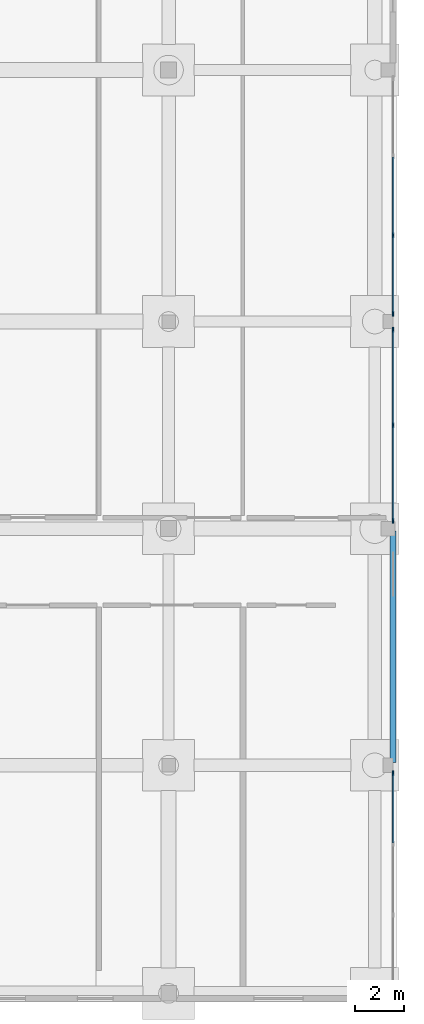
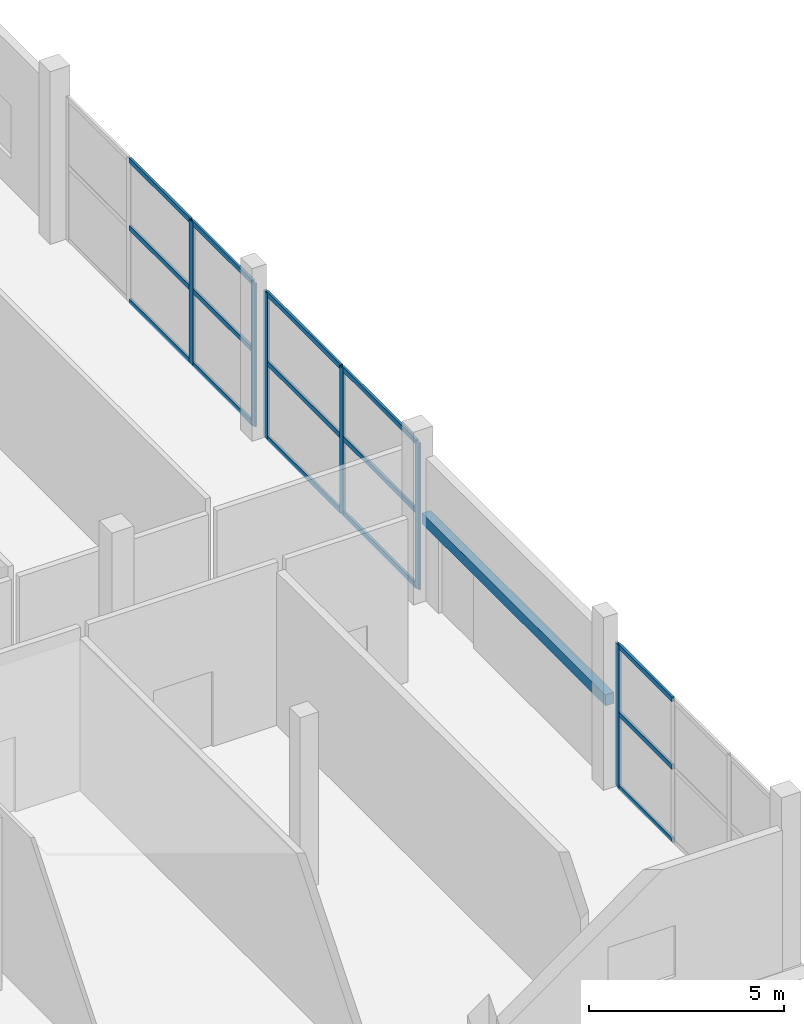
# One storey, part 46 of 88: 21 members, 1 beam, 3 elements without a shape of their own.
"""IFC4 building model written with IfcOpenShell, lengths in metres."""

from ifc_helpers import new_model, si_unit, direction, frame, origin, origin_2d, place, context, subcontext, project, spatial, rectangle, extrude, material, layer, layer_set, material_profile, profile_set, type_object, element, aggregate, save


model = new_model("IFC4")

# Units and contexts
model_context = context("Model", 3, precision=1e-05, world=origin(), true_north=direction((0.0, 1.0)))
body_context = subcontext(model_context, "Body", "Model", "MODEL_VIEW")
ifc_project = project(units=[si_unit("LENGTHUNIT", "METRE"), si_unit("AREAUNIT", "SQUARE_METRE"), si_unit("VOLUMEUNIT", "CUBIC_METRE"), si_unit("PLANEANGLEUNIT", "RADIAN"), si_unit("MASSUNIT", "GRAM", prefix="KILO")], contexts=[model_context])

# Site, building, storey
site_placement = place(None, origin())
site = spatial("IfcSite", under=ifc_project, at=site_placement, CompositionType="ELEMENT")
building_placement = place(site_placement, origin())
building = spatial("IfcBuilding", under=site, at=building_placement, Name="Birchvale Park Specialist Clinic", CompositionType="ELEMENT")
storey_placement = place(building_placement, origin())
storey = spatial("IfcBuildingStorey", under=building, at=storey_placement, Name="L00", CompositionType="ELEMENT", Elevation=0.0)

# Curtain wall, member
ifc_material_1 = material(Name="Thermally broken anodised aluminium", Category="aluminium")
ifc_layer = layer(ifc_material_1, 0.2099609375)
ifc_layer_set = layer_set([ifc_layer], Name="Thermally broken anodised aluminium")
curtain_wall_type = type_object("IfcCurtainWallType", Name="CW-U3", PredefinedType="USERDEFINED", material=ifc_layer_set)
curtain_wall_1_placement = place(storey_placement, origin())
curtain_wall_1 = element("IfcCurtainWall", 1, at=curtain_wall_1_placement, inside=storey, type_object=curtain_wall_type, Name="V6 L00 glazed curtain wall 61", ObjectType="UNITISED", PredefinedType="USERDEFINED")
ifc_material_profile_1 = material_profile(ifc_material_1, rectangle(XDim=0.070068359375, YDim=0.199951171875, at=origin_2d()), Name="CWM-70x200")
ifc_profile_set_1 = profile_set([ifc_material_profile_1], Name="Thermally broken anodised aluminium")
member_type_1 = type_object("IfcMemberType", Name="CWM3", PredefinedType="MULLION", material=ifc_profile_set_1)
member_1_placement = place(storey_placement, frame((164.905029296875, 72.875, 0.0), z_axis=(0.0, 0.0, 1.0), x_axis=(-1.0, 0.0, 0.0)))
member_1 = element("IfcMember", 2, at=member_1_placement, type_object=member_type_1, Name="CW mullion 4", PredefinedType="MULLION", context=body_context, shape_type="SweptSolid", body=[
    extrude(rectangle(XDim=0.070068359375, YDim=0.199951171875, at=origin_2d()), origin(), (0.0, 0.0, 1.0), 4.469970703125),
])

# Curtain wall, members
curtain_wall_2_placement = place(storey_placement, origin())
curtain_wall_2 = element("IfcCurtainWall", 3, at=curtain_wall_2_placement, inside=storey, type_object=curtain_wall_type, Name="V6 L00 glazed curtain wall 62", ObjectType="UNITISED", PredefinedType="USERDEFINED")
member_2_placement = place(storey_placement, frame((164.905029296875, 83.125, 0.0), z_axis=(0.0, 0.0, 1.0), x_axis=(-1.0, 0.0, 0.0)))
member_2 = element("IfcMember", 4, at=member_2_placement, type_object=member_type_1, Name="CW mullion 1", PredefinedType="MULLION", context=body_context, shape_type="SweptSolid", body=[
    extrude(rectangle(XDim=0.070068359375, YDim=0.199951171875, at=origin_2d()), origin(), (0.0, 0.0, 1.0), 4.570068359375),
])
member_3_placement = place(storey_placement, frame((164.905029296875, 87.0, 0.0), z_axis=(0.0, 0.0, 1.0), x_axis=(-1.0, 0.0, 0.0)))
member_3 = element("IfcMember", 5, at=member_3_placement, type_object=member_type_1, Name="CW mullion 2", PredefinedType="MULLION", context=body_context, shape_type="SweptSolid", body=[
    extrude(rectangle(XDim=0.070068359375, YDim=0.199951171875, at=origin_2d()), origin(), (0.0, 0.0, 1.0), 4.570068359375),
])
member_4_placement = place(storey_placement, frame((164.905029296875, 90.875, 0.0), z_axis=(0.0, 0.0, 1.0), x_axis=(-1.0, 0.0, 0.0)))
member_4 = element("IfcMember", 6, at=member_4_placement, type_object=member_type_1, Name="CW mullion 3", PredefinedType="MULLION", context=body_context, shape_type="SweptSolid", body=[
    extrude(rectangle(XDim=0.070068359375, YDim=0.199951171875, at=origin_2d()), origin(), (0.0, 0.0, 1.0), 4.570068359375),
])

curtain_wall_3_placement = place(storey_placement, origin())
curtain_wall_3 = element("IfcCurtainWall", 7, at=curtain_wall_3_placement, inside=storey, type_object=curtain_wall_type, Name="V6 L00 glazed curtain wall 63", ObjectType="UNITISED", PredefinedType="USERDEFINED")
member_5_placement = place(storey_placement, frame((164.905029296875, 91.52490234375, 0.0), z_axis=(0.0, 0.0, 1.0), x_axis=(-1.0, 0.0, 0.0)))
member_5 = element("IfcMember", 8, at=member_5_placement, type_object=member_type_1, Name="CW mullion 1", PredefinedType="MULLION", context=body_context, shape_type="SweptSolid", body=[
    extrude(rectangle(XDim=0.070068359375, YDim=0.199951171875, at=origin_2d()), origin(), (0.0, 0.0, 1.0), 4.469970703125),
])
member_6_placement = place(storey_placement, frame((164.905029296875, 94.69677734375, 0.0), z_axis=(0.0, 0.0, 1.0), x_axis=(-1.0, 0.0, 0.0)))
member_6 = element("IfcMember", 9, at=member_6_placement, type_object=member_type_1, Name="CW mullion 2", PredefinedType="MULLION", context=body_context, shape_type="SweptSolid", body=[
    extrude(rectangle(XDim=0.070068359375, YDim=0.199951171875, at=origin_2d()), origin(), (0.0, 0.0, 1.0), 4.469970703125),
])

# Member
ifc_material_profile_2 = material_profile(ifc_material_1, rectangle(XDim=0.070068359375, YDim=0.14990234375, at=origin_2d()), Name="CWT-70x150")
ifc_profile_set_2 = profile_set([ifc_material_profile_2], Name="Thermally broken anodised aluminium")
member_type_2 = type_object("IfcMemberType", Name="CWT3", PredefinedType="USERDEFINED", material=ifc_profile_set_2)
member_7_placement = place(storey_placement, frame((164.905029296875, 70.054931640625, 0.034912109375), z_axis=(0.0, 1.0, 0.0), x_axis=(-1.0, 0.0, 0.0)))
member_7 = element("IfcMember", 10, at=member_7_placement, type_object=member_type_2, Name="CW transom 3.1", ObjectType="TRANSOM", PredefinedType="USERDEFINED", context=body_context, shape_type="SweptSolid", body=[
    extrude(rectangle(XDim=0.070068359375, YDim=0.14990234375, at=origin_2d()), origin(), (0.0, 0.0, 1.0), 2.78515625),
])

member_8_placement = place(storey_placement, frame((164.905029296875, 70.054931640625, 2.324462890625), z_axis=(0.0, 1.0, 0.0), x_axis=(-1.0, 0.0, 0.0)))
member_8 = element("IfcMember", 11, at=member_8_placement, type_object=member_type_2, Name="CW transom 3.2", ObjectType="TRANSOM", PredefinedType="USERDEFINED", context=body_context, shape_type="SweptSolid", body=[
    extrude(rectangle(XDim=0.070068359375, YDim=0.14990234375, at=origin_2d()), origin(), (0.0, 0.0, 1.0), 2.78515625),
])

member_9_placement = place(storey_placement, frame((164.905029296875, 70.054931640625, 4.43505859375), z_axis=(0.0, 1.0, 0.0), x_axis=(-1.0, 0.0, 0.0)))
member_9 = element("IfcMember", 12, at=member_9_placement, type_object=member_type_2, Name="CW transom 3.3", ObjectType="TRANSOM", PredefinedType="USERDEFINED", context=body_context, shape_type="SweptSolid", body=[
    extrude(rectangle(XDim=0.070068359375, YDim=0.14990234375, at=origin_2d()), origin(), (0.0, 0.0, 1.0), 2.78515625),
])

aggregate(curtain_wall_1, [member_1, member_7, member_8, member_9])

member_10_placement = place(storey_placement, frame((164.905029296875, 83.159912109375, 0.034912109375), z_axis=(0.0, 1.0, 0.0), x_axis=(-1.0, 0.0, 0.0)))
member_10 = element("IfcMember", 13, at=member_10_placement, type_object=member_type_2, Name="CW transom 1.1", ObjectType="TRANSOM", PredefinedType="USERDEFINED", context=body_context, shape_type="SweptSolid", body=[
    extrude(rectangle(XDim=0.070068359375, YDim=0.14990234375, at=origin_2d()), origin(), (0.0, 0.0, 1.0), 3.80517578125),
])

member_11_placement = place(storey_placement, frame((164.905029296875, 83.159912109375, 2.37646484375), z_axis=(0.0, 1.0, 0.0), x_axis=(-1.0, 0.0, 0.0)))
member_11 = element("IfcMember", 14, at=member_11_placement, type_object=member_type_2, Name="CW transom 1.2", ObjectType="TRANSOM", PredefinedType="USERDEFINED", context=body_context, shape_type="SweptSolid", body=[
    extrude(rectangle(XDim=0.070068359375, YDim=0.14990234375, at=origin_2d()), origin(), (0.0, 0.0, 1.0), 3.80517578125),
])

member_12_placement = place(storey_placement, frame((164.905029296875, 83.159912109375, 4.534912109375), z_axis=(0.0, 1.0, 0.0), x_axis=(-1.0, 0.0, 0.0)))
member_12 = element("IfcMember", 15, at=member_12_placement, type_object=member_type_2, Name="CW transom 1.3", ObjectType="TRANSOM", PredefinedType="USERDEFINED", context=body_context, shape_type="SweptSolid", body=[
    extrude(rectangle(XDim=0.070068359375, YDim=0.14990234375, at=origin_2d()), origin(), (0.0, 0.0, 1.0), 3.80517578125),
])

member_13_placement = place(storey_placement, frame((164.905029296875, 87.034912109375, 0.034912109375), z_axis=(0.0, 1.0, 0.0), x_axis=(-1.0, 0.0, 0.0)))
member_13 = element("IfcMember", 16, at=member_13_placement, type_object=member_type_2, Name="CW transom 2.1", ObjectType="TRANSOM", PredefinedType="USERDEFINED", context=body_context, shape_type="SweptSolid", body=[
    extrude(rectangle(XDim=0.070068359375, YDim=0.14990234375, at=origin_2d()), origin(), (0.0, 0.0, 1.0), 3.80517578125),
])

member_14_placement = place(storey_placement, frame((164.905029296875, 87.034912109375, 2.37646484375), z_axis=(0.0, 1.0, 0.0), x_axis=(-1.0, 0.0, 0.0)))
member_14 = element("IfcMember", 17, at=member_14_placement, type_object=member_type_2, Name="CW transom 2.2", ObjectType="TRANSOM", PredefinedType="USERDEFINED", context=body_context, shape_type="SweptSolid", body=[
    extrude(rectangle(XDim=0.070068359375, YDim=0.14990234375, at=origin_2d()), origin(), (0.0, 0.0, 1.0), 3.80517578125),
])

member_15_placement = place(storey_placement, frame((164.905029296875, 87.034912109375, 4.534912109375), z_axis=(0.0, 1.0, 0.0), x_axis=(-1.0, 0.0, 0.0)))
member_15 = element("IfcMember", 18, at=member_15_placement, type_object=member_type_2, Name="CW transom 2.3", ObjectType="TRANSOM", PredefinedType="USERDEFINED", context=body_context, shape_type="SweptSolid", body=[
    extrude(rectangle(XDim=0.070068359375, YDim=0.14990234375, at=origin_2d()), origin(), (0.0, 0.0, 1.0), 3.80517578125),
])

aggregate(curtain_wall_2, [member_2, member_3, member_4, member_10, member_11, member_12, member_13, member_14, member_15])

member_16_placement = place(storey_placement, frame((164.905029296875, 91.56005859375, 0.034912109375), z_axis=(0.0, 1.0, 0.0), x_axis=(-1.0, 0.0, 0.0)))
member_16 = element("IfcMember", 19, at=member_16_placement, type_object=member_type_2, Name="CW transom 1.1", ObjectType="TRANSOM", PredefinedType="USERDEFINED", context=body_context, shape_type="SweptSolid", body=[
    extrude(rectangle(XDim=0.070068359375, YDim=0.14990234375, at=origin_2d()), origin(), (0.0, 0.0, 1.0), 3.1015625),
])

member_17_placement = place(storey_placement, frame((164.905029296875, 91.56005859375, 2.324462890625), z_axis=(0.0, 1.0, 0.0), x_axis=(-1.0, 0.0, 0.0)))
member_17 = element("IfcMember", 20, at=member_17_placement, type_object=member_type_2, Name="CW transom 1.2", ObjectType="TRANSOM", PredefinedType="USERDEFINED", context=body_context, shape_type="SweptSolid", body=[
    extrude(rectangle(XDim=0.070068359375, YDim=0.14990234375, at=origin_2d()), origin(), (0.0, 0.0, 1.0), 3.1015625),
])

member_18_placement = place(storey_placement, frame((164.905029296875, 91.56005859375, 4.43505859375), z_axis=(0.0, 1.0, 0.0), x_axis=(-1.0, 0.0, 0.0)))
member_18 = element("IfcMember", 21, at=member_18_placement, type_object=member_type_2, Name="CW transom 1.3", ObjectType="TRANSOM", PredefinedType="USERDEFINED", context=body_context, shape_type="SweptSolid", body=[
    extrude(rectangle(XDim=0.070068359375, YDim=0.14990234375, at=origin_2d()), origin(), (0.0, 0.0, 1.0), 3.1015625),
])

member_19_placement = place(storey_placement, frame((164.905029296875, 94.731689453125, 0.034912109375), z_axis=(0.0, 1.0, 0.0), x_axis=(-1.0, 0.0, 0.0)))
member_19 = element("IfcMember", 22, at=member_19_placement, type_object=member_type_2, Name="CW transom 2.1", ObjectType="TRANSOM", PredefinedType="USERDEFINED", context=body_context, shape_type="SweptSolid", body=[
    extrude(rectangle(XDim=0.070068359375, YDim=0.14990234375, at=origin_2d()), origin(), (0.0, 0.0, 1.0), 3.13671875),
])

member_20_placement = place(storey_placement, frame((164.905029296875, 94.731689453125, 2.324462890625), z_axis=(0.0, 1.0, 0.0), x_axis=(-1.0, 0.0, 0.0)))
member_20 = element("IfcMember", 23, at=member_20_placement, type_object=member_type_2, Name="CW transom 2.2", ObjectType="TRANSOM", PredefinedType="USERDEFINED", context=body_context, shape_type="SweptSolid", body=[
    extrude(rectangle(XDim=0.070068359375, YDim=0.14990234375, at=origin_2d()), origin(), (0.0, 0.0, 1.0), 3.13671875),
])

member_21_placement = place(storey_placement, frame((164.905029296875, 94.731689453125, 4.43505859375), z_axis=(0.0, 1.0, 0.0), x_axis=(-1.0, 0.0, 0.0)))
member_21 = element("IfcMember", 24, at=member_21_placement, type_object=member_type_2, Name="CW transom 2.3", ObjectType="TRANSOM", PredefinedType="USERDEFINED", context=body_context, shape_type="SweptSolid", body=[
    extrude(rectangle(XDim=0.070068359375, YDim=0.14990234375, at=origin_2d()), origin(), (0.0, 0.0, 1.0), 3.13671875),
])

aggregate(curtain_wall_3, [member_5, member_6, member_16, member_17, member_18, member_19, member_20, member_21])

# Beam
ifc_material_2 = material(Name="Concrete C40/50", Category="concrete")
ifc_material_profile_3 = material_profile(ifc_material_2, rectangle(XDim=0.25, YDim=0.340087890625, at=origin_2d()), Name="LNT-250x340")
ifc_profile_set_3 = profile_set([ifc_material_profile_3], Name="Concrete C40/50")
beam_type = type_object("IfcBeamType", Name="LNT-EXT-LN1", PredefinedType="LINTEL", material=ifc_profile_set_3)
beam_placement = place(storey_placement, frame((164.905029296875, 73.304931640625, 2.469970703125), z_axis=(0.0, 1.0, 0.0), x_axis=(-1.0, 0.0, 0.0)))
element("IfcBeam", 25, at=beam_placement, inside=storey, type_object=beam_type, Name="V6 L00 exit opening lintel 23", PredefinedType="LINTEL", context=body_context, shape_type="SweptSolid", body=[
    extrude(rectangle(XDim=0.25, YDim=0.340087890625, at=origin_2d()), origin(), (0.0, 0.0, 1.0), 9.39013671875),
])

save(model, "model.ifc")
